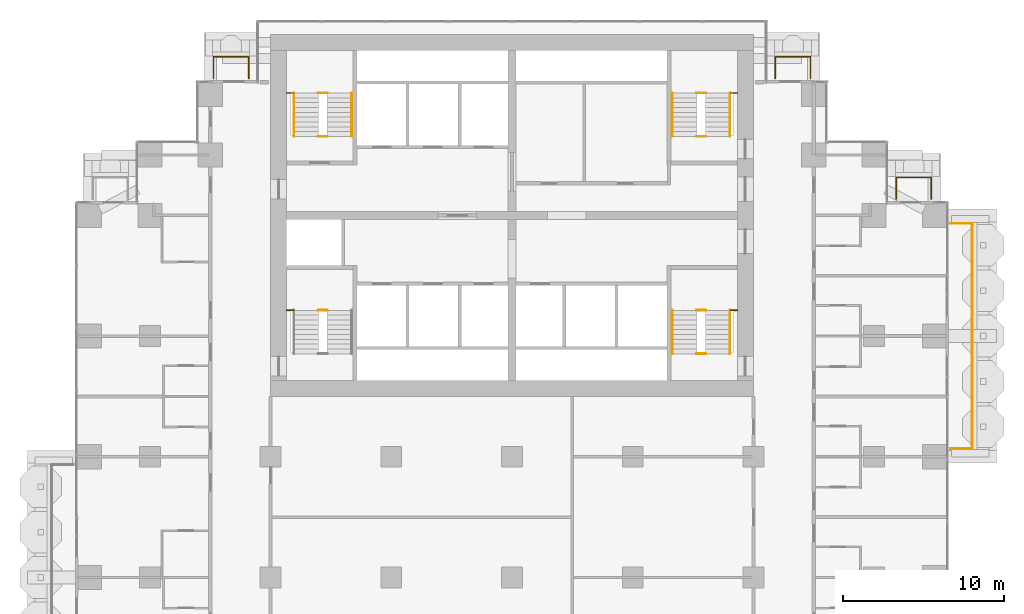
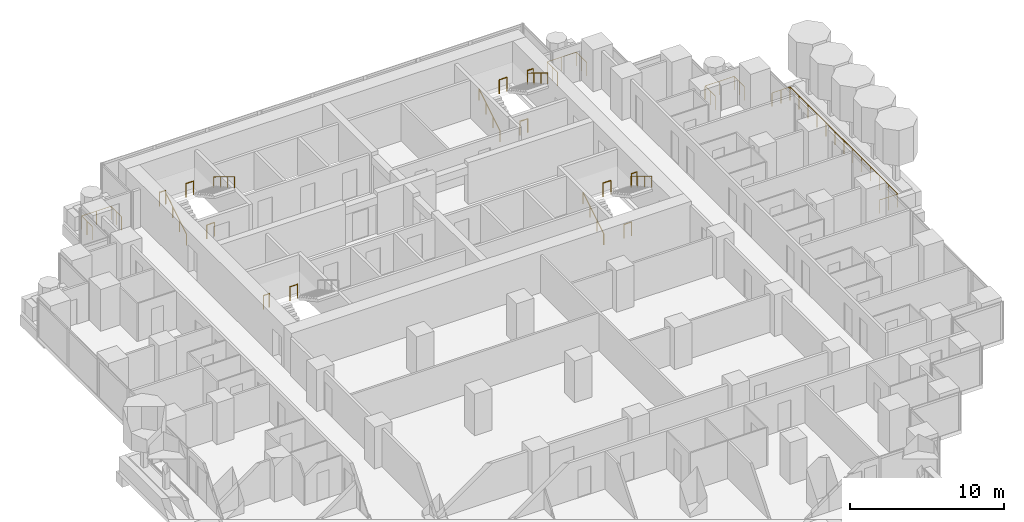
# One storey, part 18 of 19: 21 railings.
"""IFC4 building model written with IfcOpenShell, lengths in metres."""

from ifc_helpers import new_model, si_unit, direction, frame, origin, origin_2d, place, context, subcontext, project, spatial, circle, extrude, material, type_object, element, save


model = new_model("IFC4")

# Units and contexts
model_context = context("Model", 3, precision=1e-05, world=origin(), true_north=direction((0.0, 1.0)))
body_context = subcontext(model_context, "Body", "Model", "MODEL_VIEW")
ifc_project = project(units=[si_unit("LENGTHUNIT", "METRE"), si_unit("AREAUNIT", "SQUARE_METRE"), si_unit("VOLUMEUNIT", "CUBIC_METRE"), si_unit("PLANEANGLEUNIT", "RADIAN"), si_unit("MASSUNIT", "GRAM", prefix="KILO")], contexts=[model_context])

# Site, building, storey
site_placement = place(None, origin())
site = spatial("IfcSite", under=ifc_project, at=site_placement, CompositionType="ELEMENT")
building_placement = place(site_placement, origin())
building = spatial("IfcBuilding", under=site, at=building_placement, Name="Pilkhan Gate Tower", CompositionType="ELEMENT")
storey_placement = place(building_placement, frame((0.0, 0.0, 59.300048828125)))
storey = spatial("IfcBuildingStorey", under=building, at=storey_placement, Name="L12", CompositionType="ELEMENT", Elevation=59.300048828125)

# Railings
ifc_material_1 = material(Name="Pale anodised aluminium posts, laminated glass infill", Category="aluminium")
railing_type_1 = type_object("IfcRailingType", Name="Balcony guard G1", PredefinedType="BALUSTRADE", material=ifc_material_1)
railing_1_placement = place(storey_placement, frame((102.25, 68.0, 0.0)))
element("IfcRailing", 1, at=railing_1_placement, inside=storey, type_object=railing_type_1, Name="Balcony guard L12 E", PredefinedType="BALUSTRADE", context=body_context, shape_type="SweptSolid", body=[
    extrude(circle(Radius=0.02392578125, at=origin_2d()), frame((0.0, 0.0, 1.076171875), z_axis=(1.0, 0.0, 0.0), x_axis=(0.0, 1.0, 0.0)), (0.0, 0.0, 1.0), 1.35009765625),
    extrude(circle(Radius=0.02392578125, at=origin_2d()), frame((1.35009765625, 0.0, 1.076171875), z_axis=(0.0, 1.0, 0.0), x_axis=(-1.0, 0.0, 0.0)), (0.0, 0.0, 1.0), 14.0),
    extrude(circle(Radius=0.02392578125, at=origin_2d()), frame((1.35009765625, 14.0, 1.076171875), z_axis=(-1.0, 0.0, 0.0), x_axis=(0.0, -1.0, 0.0)), (0.0, 0.0, 1.0), 1.35009765625),
    extrude(circle(Radius=0.02099609375, at=origin_2d()), origin(), (0.0, 0.0, 1.0), 1.052001953125),
    extrude(circle(Radius=0.02099609375, at=origin_2d()), frame((0.675048828125, 0.0, 0.0)), (0.0, 0.0, 1.0), 1.052001953125),
    extrude(circle(Radius=0.02099609375, at=origin_2d()), frame((1.35009765625, 0.0, 0.0)), (0.0, 0.0, 1.0), 1.052001953125),
    extrude(circle(Radius=0.02099609375, at=origin_2d()), frame((1.35009765625, 1.166748046875, 0.0)), (0.0, 0.0, 1.0), 1.052001953125),
    extrude(circle(Radius=0.02099609375, at=origin_2d()), frame((1.35009765625, 2.333251953125, 0.0)), (0.0, 0.0, 1.0), 1.052001953125),
    extrude(circle(Radius=0.02099609375, at=origin_2d()), frame((1.35009765625, 3.5, 0.0)), (0.0, 0.0, 1.0), 1.052001953125),
    extrude(circle(Radius=0.02099609375, at=origin_2d()), frame((1.35009765625, 4.666748046875, 0.0)), (0.0, 0.0, 1.0), 1.052001953125),
    extrude(circle(Radius=0.02099609375, at=origin_2d()), frame((1.35009765625, 5.833251953125, 0.0)), (0.0, 0.0, 1.0), 1.052001953125),
    extrude(circle(Radius=0.02099609375, at=origin_2d()), frame((1.35009765625, 7.0, 0.0)), (0.0, 0.0, 1.0), 1.052001953125),
    extrude(circle(Radius=0.02099609375, at=origin_2d()), frame((1.35009765625, 8.166748046875, 0.0)), (0.0, 0.0, 1.0), 1.052001953125),
    extrude(circle(Radius=0.02099609375, at=origin_2d()), frame((1.35009765625, 9.333251953125, 0.0)), (0.0, 0.0, 1.0), 1.052001953125),
    extrude(circle(Radius=0.02099609375, at=origin_2d()), frame((1.35009765625, 10.5, 0.0)), (0.0, 0.0, 1.0), 1.052001953125),
    extrude(circle(Radius=0.02099609375, at=origin_2d()), frame((1.35009765625, 11.666748046875, 0.0)), (0.0, 0.0, 1.0), 1.052001953125),
    extrude(circle(Radius=0.02099609375, at=origin_2d()), frame((1.35009765625, 12.833251953125, 0.0)), (0.0, 0.0, 1.0), 1.052001953125),
    extrude(circle(Radius=0.02099609375, at=origin_2d()), frame((1.35009765625, 14.0, 0.0)), (0.0, 0.0, 1.0), 1.052001953125),
    extrude(circle(Radius=0.02099609375, at=origin_2d()), frame((0.675048828125, 14.0, 0.0)), (0.0, 0.0, 1.0), 1.052001953125),
    extrude(circle(Radius=0.02099609375, at=origin_2d()), frame((0.0, 14.0, 0.0)), (0.0, 0.0, 1.0), 1.052001953125),
])
for number, where, name in (
    (2, (56.449951171875, 91.0, 0.0), "Balcony guard L12 N"),
    (3, (91.35009765625, 91.0, 0.0), "Balcony guard L12 N"),
):
    element("IfcRailing", number, at=place(storey_placement, frame(where)), inside=storey, type_object=railing_type_1, Name=name, PredefinedType="BALUSTRADE", context=body_context, shape_type="SweptSolid", body=[
        extrude(circle(Radius=0.02392578125, at=origin_2d()), frame((0.0, 0.0, 1.076171875), z_axis=(0.0, 1.0, 0.0), x_axis=(-1.0, 0.0, 0.0)), (0.0, 0.0, 1.0), 1.35009765625),
        extrude(circle(Radius=0.02392578125, at=origin_2d()), frame((0.0, 1.35009765625, 1.076171875), z_axis=(1.0, 0.0, 0.0), x_axis=(0.0, 1.0, 0.0)), (0.0, 0.0, 1.0), 2.199951171875),
        extrude(circle(Radius=0.02392578125, at=origin_2d()), frame((2.199951171875, 1.35009765625, 1.076171875), z_axis=(0.0, -1.0, 0.0), x_axis=(1.0, 0.0, 0.0)), (0.0, 0.0, 1.0), 1.35009765625),
        extrude(circle(Radius=0.02099609375, at=origin_2d()), origin(), (0.0, 0.0, 1.0), 1.052001953125),
        extrude(circle(Radius=0.02099609375, at=origin_2d()), frame((0.0, 0.675048828125, 0.0)), (0.0, 0.0, 1.0), 1.052001953125),
        extrude(circle(Radius=0.02099609375, at=origin_2d()), frame((0.0, 1.35009765625, 0.0)), (0.0, 0.0, 1.0), 1.052001953125),
        extrude(circle(Radius=0.02099609375, at=origin_2d()), frame((1.10009765625, 1.35009765625, 0.0)), (0.0, 0.0, 1.0), 1.052001953125),
        extrude(circle(Radius=0.02099609375, at=origin_2d()), frame((2.199951171875, 1.35009765625, 0.0)), (0.0, 0.0, 1.0), 1.052001953125),
        extrude(circle(Radius=0.02099609375, at=origin_2d()), frame((2.199951171875, 0.675048828125, 0.0)), (0.0, 0.0, 1.0), 1.052001953125),
        extrude(circle(Radius=0.02099609375, at=origin_2d()), frame((2.199951171875, 0.0, 0.0)), (0.0, 0.0, 1.0), 1.052001953125),
    ])
railing_2_placement = place(storey_placement, frame((98.8701171875, 83.52001953125, 0.0)))
element("IfcRailing", 4, at=railing_2_placement, inside=storey, type_object=railing_type_1, Name="Balcony guard L12 N", PredefinedType="BALUSTRADE", context=body_context, shape_type="SweptSolid", body=[
    extrude(circle(Radius=0.02392578125, at=origin_2d()), frame((0.0, 0.0, 1.076171875), z_axis=(0.0, 1.0, 0.0), x_axis=(-1.0, 0.0, 0.0)), (0.0, 0.0, 1.0), 1.330078125),
    extrude(circle(Radius=0.02392578125, at=origin_2d()), frame((0.0, 1.330078125, 1.076171875), z_axis=(1.0, 0.0, 0.0), x_axis=(0.0, 1.0, 0.0)), (0.0, 0.0, 1.0), 2.179931640625),
    extrude(circle(Radius=0.02392578125, at=origin_2d()), frame((2.179931640625, 1.330078125, 1.076171875), z_axis=(0.0, -1.0, 0.0), x_axis=(1.0, 0.0, 0.0)), (0.0, 0.0, 1.0), 1.330078125),
    extrude(circle(Radius=0.02099609375, at=origin_2d()), origin(), (0.0, 0.0, 1.0), 1.052001953125),
    extrude(circle(Radius=0.02099609375, at=origin_2d()), frame((0.0, 0.6650390625, 0.0)), (0.0, 0.0, 1.0), 1.052001953125),
    extrude(circle(Radius=0.02099609375, at=origin_2d()), frame((0.0, 1.330078125, 0.0)), (0.0, 0.0, 1.0), 1.052001953125),
    extrude(circle(Radius=0.02099609375, at=origin_2d()), frame((1.08984375, 1.330078125, 0.0)), (0.0, 0.0, 1.0), 1.052001953125),
    extrude(circle(Radius=0.02099609375, at=origin_2d()), frame((2.179931640625, 1.330078125, 0.0)), (0.0, 0.0, 1.0), 1.052001953125),
    extrude(circle(Radius=0.02099609375, at=origin_2d()), frame((2.179931640625, 0.6650390625, 0.0)), (0.0, 0.0, 1.0), 1.052001953125),
    extrude(circle(Radius=0.02099609375, at=origin_2d()), frame((2.179931640625, 0.0, 0.0)), (0.0, 0.0, 1.0), 1.052001953125),
])
ifc_material_2 = material(Name="Black powder-coated steel tube", Category="steel")
railing_type_2 = type_object("IfcRailingType", Name="Stair handrail HR1", PredefinedType="HANDRAIL", material=ifc_material_2)
railing_3_placement = place(storey_placement, frame((84.949951171875, 73.89990234375, 0.0)))
element("IfcRailing", 5, at=railing_3_placement, inside=storey, type_object=railing_type_2, Name="Stair ST1 handrail L12", PredefinedType="HANDRAIL", context=body_context, shape_type="SweptSolid", body=[
    extrude(circle(Radius=0.02392578125, at=origin_2d()), frame((0.0, 0.0, 0.8759765625), z_axis=(0.0, 0.853312346642, 0.521400075823), x_axis=(-1.0, 0.0, 0.0)), (0.0, 0.0, 1.0), 3.164306640625),
    extrude(circle(Radius=0.02099609375, at=origin_2d()), origin(), (0.0, 0.0, 1.0), 0.851806640625),
    extrude(circle(Radius=0.02099609375, at=origin_2d()), frame((0.0, 0.900146484375, 0.550048828125)), (0.0, 0.0, 1.0), 0.851806640625),
    extrude(circle(Radius=0.02099609375, at=origin_2d()), frame((0.0, 1.800048828125, 1.099853515625)), (0.0, 0.0, 1.0), 0.851806640625),
    extrude(circle(Radius=0.02099609375, at=origin_2d()), frame((0.0, 2.7001953125, 1.64990234375)), (0.0, 0.0, 1.0), 0.851806640625),
])
railing_4_placement = place(storey_placement, frame((88.550048828125, 76.60009765625, 1.64990234375)))
element("IfcRailing", 6, at=railing_4_placement, inside=storey, type_object=railing_type_2, Name="Stair ST1 handrail L12", PredefinedType="HANDRAIL", context=body_context, shape_type="SweptSolid", body=[
    extrude(circle(Radius=0.02392578125, at=origin_2d()), frame((0.0, 0.0, 0.8759765625), z_axis=(0.0, -0.853278019476, 0.521456250781), x_axis=(1.0, 0.0, 0.0)), (0.0, 0.0, 1.0), 3.16455078125),
    extrude(circle(Radius=0.02099609375, at=origin_2d()), origin(), (0.0, 0.0, 1.0), 0.851806640625),
    extrude(circle(Radius=0.02099609375, at=origin_2d()), frame((0.0, -0.900146484375, 0.550048828125)), (0.0, 0.0, 1.0), 0.851806640625),
    extrude(circle(Radius=0.02099609375, at=origin_2d()), frame((0.0, -1.800048828125, 1.10009765625)), (0.0, 0.0, 1.0), 0.851806640625),
    extrude(circle(Radius=0.02099609375, at=origin_2d()), frame((0.0, -2.7001953125, 1.650146484375)), (0.0, 0.0, 1.0), 0.851806640625),
])
railing_5_placement = place(storey_placement, frame((61.449951171875, 87.39990234375, 0.0)))
element("IfcRailing", 7, at=railing_5_placement, inside=storey, type_object=railing_type_2, Name="Stair ST3 handrail L12", PredefinedType="HANDRAIL", context=body_context, shape_type="SweptSolid", body=[
    extrude(circle(Radius=0.02392578125, at=origin_2d()), frame((0.0, 0.0, 0.8759765625), z_axis=(0.0, 0.853312346642, 0.521400075823), x_axis=(-1.0, 0.0, 0.0)), (0.0, 0.0, 1.0), 3.164306640625),
    extrude(circle(Radius=0.02099609375, at=origin_2d()), origin(), (0.0, 0.0, 1.0), 0.851806640625),
    extrude(circle(Radius=0.02099609375, at=origin_2d()), frame((0.0, 0.900146484375, 0.550048828125)), (0.0, 0.0, 1.0), 0.851806640625),
    extrude(circle(Radius=0.02099609375, at=origin_2d()), frame((0.0, 1.800048828125, 1.099853515625)), (0.0, 0.0, 1.0), 0.851806640625),
    extrude(circle(Radius=0.02099609375, at=origin_2d()), frame((0.0, 2.7001953125, 1.64990234375)), (0.0, 0.0, 1.0), 0.851806640625),
])
railing_6_placement = place(storey_placement, frame((65.050048828125, 90.10009765625, 1.64990234375)))
element("IfcRailing", 8, at=railing_6_placement, inside=storey, type_object=railing_type_2, Name="Stair ST3 handrail L12", PredefinedType="HANDRAIL", context=body_context, shape_type="SweptSolid", body=[
    extrude(circle(Radius=0.02392578125, at=origin_2d()), frame((0.0, 0.0, 0.8759765625), z_axis=(0.0, -0.853278019476, 0.521456250781), x_axis=(1.0, 0.0, 0.0)), (0.0, 0.0, 1.0), 3.16455078125),
    extrude(circle(Radius=0.02099609375, at=origin_2d()), origin(), (0.0, 0.0, 1.0), 0.851806640625),
    extrude(circle(Radius=0.02099609375, at=origin_2d()), frame((0.0, -0.900146484375, 0.550048828125)), (0.0, 0.0, 1.0), 0.851806640625),
    extrude(circle(Radius=0.02099609375, at=origin_2d()), frame((0.0, -1.800048828125, 1.10009765625)), (0.0, 0.0, 1.0), 0.851806640625),
    extrude(circle(Radius=0.02099609375, at=origin_2d()), frame((0.0, -2.7001953125, 1.650146484375)), (0.0, 0.0, 1.0), 0.851806640625),
])
railing_7_placement = place(storey_placement, frame((84.949951171875, 87.39990234375, 0.0)))
element("IfcRailing", 9, at=railing_7_placement, inside=storey, type_object=railing_type_2, Name="Stair ST4 handrail L12", PredefinedType="HANDRAIL", context=body_context, shape_type="SweptSolid", body=[
    extrude(circle(Radius=0.02392578125, at=origin_2d()), frame((0.0, 0.0, 0.8759765625), z_axis=(0.0, 0.853312346642, 0.521400075823), x_axis=(-1.0, 0.0, 0.0)), (0.0, 0.0, 1.0), 3.164306640625),
    extrude(circle(Radius=0.02099609375, at=origin_2d()), origin(), (0.0, 0.0, 1.0), 0.851806640625),
    extrude(circle(Radius=0.02099609375, at=origin_2d()), frame((0.0, 0.900146484375, 0.550048828125)), (0.0, 0.0, 1.0), 0.851806640625),
    extrude(circle(Radius=0.02099609375, at=origin_2d()), frame((0.0, 1.800048828125, 1.099853515625)), (0.0, 0.0, 1.0), 0.851806640625),
    extrude(circle(Radius=0.02099609375, at=origin_2d()), frame((0.0, 2.7001953125, 1.64990234375)), (0.0, 0.0, 1.0), 0.851806640625),
])
railing_8_placement = place(storey_placement, frame((88.550048828125, 90.10009765625, 1.64990234375)))
element("IfcRailing", 10, at=railing_8_placement, inside=storey, type_object=railing_type_2, Name="Stair ST4 handrail L12", PredefinedType="HANDRAIL", context=body_context, shape_type="SweptSolid", body=[
    extrude(circle(Radius=0.02392578125, at=origin_2d()), frame((0.0, 0.0, 0.8759765625), z_axis=(0.0, -0.853278019476, 0.521456250781), x_axis=(1.0, 0.0, 0.0)), (0.0, 0.0, 1.0), 3.16455078125),
    extrude(circle(Radius=0.02099609375, at=origin_2d()), origin(), (0.0, 0.0, 1.0), 0.851806640625),
    extrude(circle(Radius=0.02099609375, at=origin_2d()), frame((0.0, -0.900146484375, 0.550048828125)), (0.0, 0.0, 1.0), 0.851806640625),
    extrude(circle(Radius=0.02099609375, at=origin_2d()), frame((0.0, -1.800048828125, 1.10009765625)), (0.0, 0.0, 1.0), 0.851806640625),
    extrude(circle(Radius=0.02099609375, at=origin_2d()), frame((0.0, -2.7001953125, 1.650146484375)), (0.0, 0.0, 1.0), 0.851806640625),
])
ifc_material_3 = material(Name="Black powder-coated steel balusters", Category="steel")
railing_type_3 = type_object("IfcRailingType", Name="Stair well guard G3", PredefinedType="GUARDRAIL", material=ifc_material_3)
railing_9_placement = place(storey_placement, frame((88.580078125, 76.60009765625, 1.64990234375)))
element("IfcRailing", 11, at=railing_9_placement, inside=storey, type_object=railing_type_3, Name="Stair ST1 well guard L12", PredefinedType="GUARDRAIL", context=body_context, shape_type="SweptSolid", body=[
    extrude(circle(Radius=0.02392578125, at=origin_2d()), frame((0.0, 0.0, 1.076171875), z_axis=(1.0, 0.0, 0.0), x_axis=(0.0, 1.0, 0.0)), (0.0, 0.0, 1.0), 0.43994140625),
    extrude(circle(Radius=0.02099609375, at=origin_2d()), origin(), (0.0, 0.0, 1.0), 1.052001953125),
    extrude(circle(Radius=0.02099609375, at=origin_2d()), frame((0.43994140625, 0.0, 0.0)), (0.0, 0.0, 1.0), 1.052001953125),
])
for number, where, name in (
    (12, (86.4599609375, 73.89990234375, 0.0), "Stair ST1 well guard L12"),
    (13, (86.4599609375, 76.60009765625, 1.64990234375), "Stair ST1 well guard L12"),
):
    element("IfcRailing", number, at=place(storey_placement, frame(where)), inside=storey, type_object=railing_type_3, Name=name, PredefinedType="GUARDRAIL", context=body_context, shape_type="SweptSolid", body=[
        extrude(circle(Radius=0.02392578125, at=origin_2d()), frame((0.0, 0.0, 1.076171875), z_axis=(1.0, 0.0, 0.0), x_axis=(0.0, 1.0, 0.0)), (0.0, 0.0, 1.0), 0.580078125),
        extrude(circle(Radius=0.02099609375, at=origin_2d()), origin(), (0.0, 0.0, 1.0), 1.052001953125),
        extrude(circle(Radius=0.02099609375, at=origin_2d()), frame((0.580078125, 0.0, 0.0)), (0.0, 0.0, 1.0), 1.052001953125),
    ])
railing_10_placement = place(storey_placement, frame((60.97998046875, 76.60009765625, 1.64990234375)))
element("IfcRailing", 14, at=railing_10_placement, inside=storey, type_object=railing_type_3, Name="Stair ST2 well guard L12", PredefinedType="GUARDRAIL", context=body_context, shape_type="SweptSolid", body=[
    extrude(circle(Radius=0.02392578125, at=origin_2d()), frame((0.0, 0.0, 1.076171875), z_axis=(1.0, 0.0, 0.0), x_axis=(0.0, 1.0, 0.0)), (0.0, 0.0, 1.0), 0.43994140625),
    extrude(circle(Radius=0.02099609375, at=origin_2d()), origin(), (0.0, 0.0, 1.0), 1.052001953125),
    extrude(circle(Radius=0.02099609375, at=origin_2d()), frame((0.43994140625, 0.0, 0.0)), (0.0, 0.0, 1.0), 1.052001953125),
])
railing_11_placement = place(storey_placement, frame((62.9599609375, 76.60009765625, 1.64990234375)))
element("IfcRailing", 15, at=railing_11_placement, inside=storey, type_object=railing_type_3, Name="Stair ST2 well guard L12", PredefinedType="GUARDRAIL", context=body_context, shape_type="SweptSolid", body=[
    extrude(circle(Radius=0.02392578125, at=origin_2d()), frame((0.0, 0.0, 1.076171875), z_axis=(1.0, 0.0, 0.0), x_axis=(0.0, 1.0, 0.0)), (0.0, 0.0, 1.0), 0.580078125),
    extrude(circle(Radius=0.02099609375, at=origin_2d()), origin(), (0.0, 0.0, 1.0), 1.052001953125),
    extrude(circle(Radius=0.02099609375, at=origin_2d()), frame((0.580078125, 0.0, 0.0)), (0.0, 0.0, 1.0), 1.052001953125),
])
railing_12_placement = place(storey_placement, frame((60.97998046875, 90.10009765625, 1.64990234375)))
element("IfcRailing", 16, at=railing_12_placement, inside=storey, type_object=railing_type_3, Name="Stair ST3 well guard L12", PredefinedType="GUARDRAIL", context=body_context, shape_type="SweptSolid", body=[
    extrude(circle(Radius=0.02392578125, at=origin_2d()), frame((0.0, 0.0, 1.076171875), z_axis=(1.0, 0.0, 0.0), x_axis=(0.0, 1.0, 0.0)), (0.0, 0.0, 1.0), 0.43994140625),
    extrude(circle(Radius=0.02099609375, at=origin_2d()), origin(), (0.0, 0.0, 1.0), 1.052001953125),
    extrude(circle(Radius=0.02099609375, at=origin_2d()), frame((0.43994140625, 0.0, 0.0)), (0.0, 0.0, 1.0), 1.052001953125),
])
for number, where, name in (
    (17, (62.9599609375, 87.39990234375, 0.0), "Stair ST3 well guard L12"),
    (18, (62.9599609375, 90.10009765625, 1.64990234375), "Stair ST3 well guard L12"),
):
    element("IfcRailing", number, at=place(storey_placement, frame(where)), inside=storey, type_object=railing_type_3, Name=name, PredefinedType="GUARDRAIL", context=body_context, shape_type="SweptSolid", body=[
        extrude(circle(Radius=0.02392578125, at=origin_2d()), frame((0.0, 0.0, 1.076171875), z_axis=(1.0, 0.0, 0.0), x_axis=(0.0, 1.0, 0.0)), (0.0, 0.0, 1.0), 0.580078125),
        extrude(circle(Radius=0.02099609375, at=origin_2d()), origin(), (0.0, 0.0, 1.0), 1.052001953125),
        extrude(circle(Radius=0.02099609375, at=origin_2d()), frame((0.580078125, 0.0, 0.0)), (0.0, 0.0, 1.0), 1.052001953125),
    ])
railing_13_placement = place(storey_placement, frame((88.580078125, 90.10009765625, 1.64990234375)))
element("IfcRailing", 19, at=railing_13_placement, inside=storey, type_object=railing_type_3, Name="Stair ST4 well guard L12", PredefinedType="GUARDRAIL", context=body_context, shape_type="SweptSolid", body=[
    extrude(circle(Radius=0.02392578125, at=origin_2d()), frame((0.0, 0.0, 1.076171875), z_axis=(1.0, 0.0, 0.0), x_axis=(0.0, 1.0, 0.0)), (0.0, 0.0, 1.0), 0.43994140625),
    extrude(circle(Radius=0.02099609375, at=origin_2d()), origin(), (0.0, 0.0, 1.0), 1.052001953125),
    extrude(circle(Radius=0.02099609375, at=origin_2d()), frame((0.43994140625, 0.0, 0.0)), (0.0, 0.0, 1.0), 1.052001953125),
])
for number, where, name in (
    (20, (86.4599609375, 87.39990234375, 0.0), "Stair ST4 well guard L12"),
    (21, (86.4599609375, 90.10009765625, 1.64990234375), "Stair ST4 well guard L12"),
):
    element("IfcRailing", number, at=place(storey_placement, frame(where)), inside=storey, type_object=railing_type_3, Name=name, PredefinedType="GUARDRAIL", context=body_context, shape_type="SweptSolid", body=[
        extrude(circle(Radius=0.02392578125, at=origin_2d()), frame((0.0, 0.0, 1.076171875), z_axis=(1.0, 0.0, 0.0), x_axis=(0.0, 1.0, 0.0)), (0.0, 0.0, 1.0), 0.580078125),
        extrude(circle(Radius=0.02099609375, at=origin_2d()), origin(), (0.0, 0.0, 1.0), 1.052001953125),
        extrude(circle(Radius=0.02099609375, at=origin_2d()), frame((0.580078125, 0.0, 0.0)), (0.0, 0.0, 1.0), 1.052001953125),
    ])

save(model, "model.ifc")
